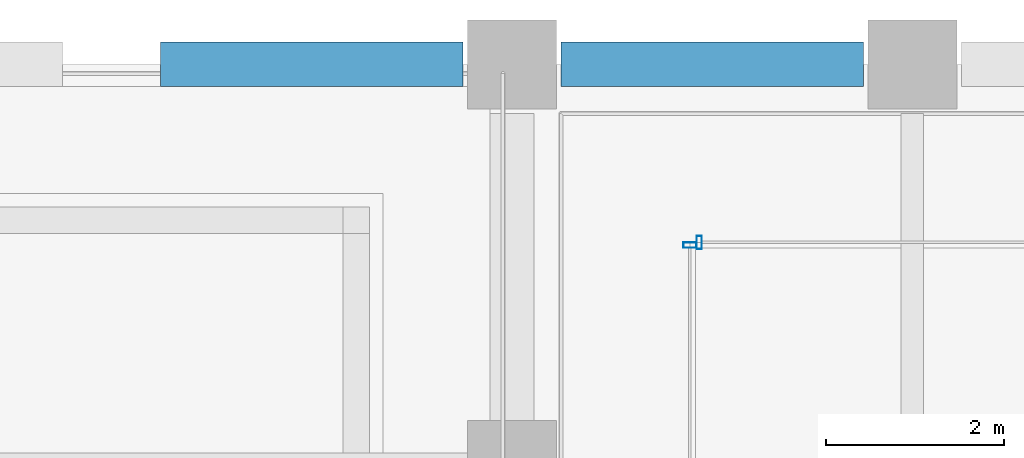
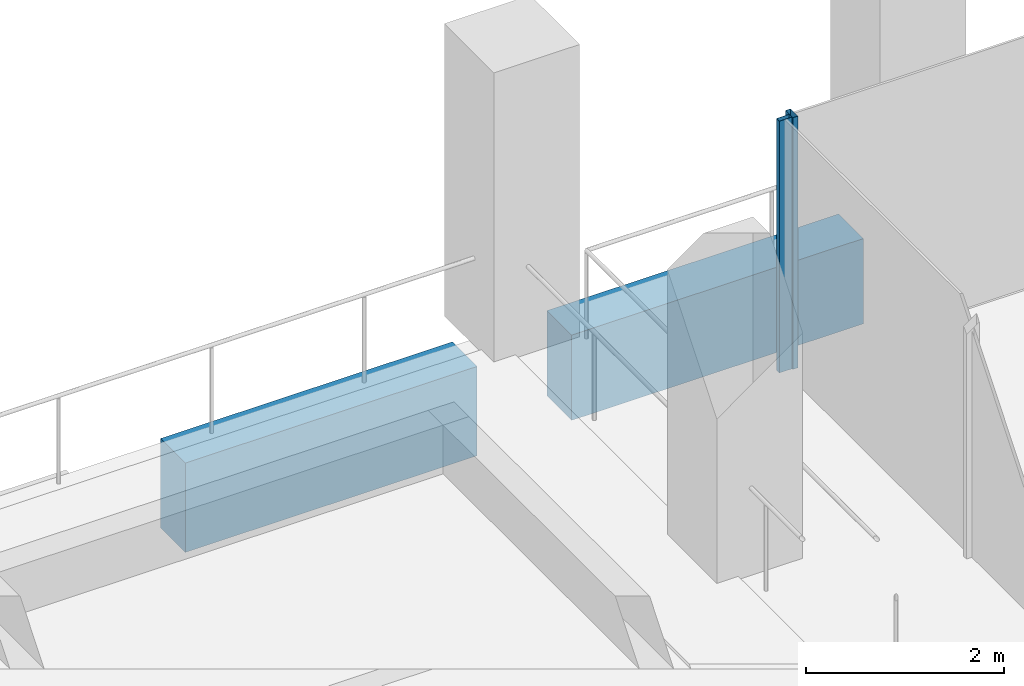
# One storey, part 23 of 52: 2 beams, 2 members, 2 elements without a shape of their own.
"""IFC4 building model written with IfcOpenShell, lengths in metres."""

import ifcopenshell
import ifcopenshell.guid

model = None  # the IFC model being written
_history = None  # IfcOwnerHistory: only IFC2X3 demands one
_inside = {}  # id of a spatial element -> (the spatial element, [elements in it])
_under = {}  # id of a project, library or spatial element -> (it, [spatial elements below it])
_declared = {}  # id of a project -> (the project, [libraries it declares])
_typed = {}  # id of a type object -> (the type object, [elements of that type])
_made_of = {}  # id of a material, layer set ... -> (it, [elements and type objects made of it])


def new_model(schema):
    """Start an empty IFC model of exactly this schema.

    Asked for "IFC4X3", IfcOpenShell would pick the latest addendum, in which some entities
    have other attributes; the version numbers below select the first issue.
    IFC2X3 requires an IfcOwnerHistory on every rooted entity: one is made here for all.
    """
    global model, _history
    if schema == "IFC4X3":
        model = ifcopenshell.file(schema_version=(4, 3, 0, 0))
    else:
        model = ifcopenshell.file(schema=schema)
    _inside.clear()
    _under.clear()
    _declared.clear()
    _typed.clear()
    _made_of.clear()
    _history = None
    if model.schema == "IFC2X3":
        org = make("IfcOrganization", Name="unknown")
        user = make(
            "IfcPersonAndOrganization",
            ThePerson=make("IfcPerson", FamilyName="unknown"),
            TheOrganization=org,
        )
        app = make(
            "IfcApplication",
            ApplicationDeveloper=org,
            Version="unknown",
            ApplicationFullName="unknown",
            ApplicationIdentifier="unknown",
        )
        _history = make(
            "IfcOwnerHistory",
            OwningUser=user,
            OwningApplication=app,
            ChangeAction="ADDED",
            CreationDate=0,
        )
    return model


def make(cls, **values):
    """One entity of the class cls with the attributes given. An attribute that is None is left unset."""
    return model.create_entity(
        cls, **{name: value for name, value in values.items() if value is not None}
    )


def rooted(cls, **values):
    """An entity with a GlobalId (a new one), such as an element, a storey or a relation."""
    return make(cls, GlobalId=ifcopenshell.guid.new(), OwnerHistory=_history, **values)


def si_unit(unit_type, name, prefix=None):
    """IfcSIUnit, for example si_unit("LENGTHUNIT", "METRE", prefix="MILLI")."""
    return make("IfcSIUnit", UnitType=unit_type, Prefix=prefix, Name=name)


def assignment(units):
    """IfcUnitAssignment: the units of a project."""
    return None if units is None else make("IfcUnitAssignment", Units=units)


def point(xyz):
    """IfcCartesianPoint."""
    return None if xyz is None else make("IfcCartesianPoint", Coordinates=xyz)


def direction(xyz):
    """IfcDirection."""
    return None if xyz is None else make("IfcDirection", DirectionRatios=xyz)


def frame(location, z_axis=None, x_axis=None):
    """IfcAxis2Placement3D, a coordinate frame: its origin and axes. An axis left out is left unset."""
    return make(
        "IfcAxis2Placement3D",
        Location=point(location),
        Axis=direction(z_axis),
        RefDirection=direction(x_axis),
    )


def frame_2d(location, x_axis=None):
    """IfcAxis2Placement2D, a coordinate frame in the plane: its origin and x axis."""
    return make(
        "IfcAxis2Placement2D", Location=point(location), RefDirection=direction(x_axis)
    )


def origin():
    """The frame at (0, 0, 0) with its axes left unset."""
    return frame((0.0, 0.0, 0.0))


def origin_2d():
    """The frame at (0, 0) in the plane with its x axis left unset."""
    return frame_2d((0.0, 0.0))


def place(relative_to, where):
    """IfcLocalPlacement: puts the frame where relative to a parent placement (None: the world)."""
    return make(
        "IfcLocalPlacement", PlacementRelTo=relative_to, RelativePlacement=where
    )


def context(
    kind, dimensions, precision=None, world=None, true_north=None, identifier=None
):
    """IfcGeometricRepresentationContext, for example the 3D "Model" context."""
    return make(
        "IfcGeometricRepresentationContext",
        ContextIdentifier=identifier,
        ContextType=kind,
        CoordinateSpaceDimension=dimensions,
        Precision=precision,
        WorldCoordinateSystem=world,
        TrueNorth=true_north,
    )


def subcontext(parent, identifier, kind, view, scale=None):
    """IfcGeometricRepresentationSubContext, for example "Body" below "Model"."""
    return make(
        "IfcGeometricRepresentationSubContext",
        ContextIdentifier=identifier,
        ContextType=kind,
        ParentContext=parent,
        TargetScale=scale,
        TargetView=view,
    )


def project(units=None, contexts=None):
    """IfcProject with its units and contexts."""
    return rooted(
        "IfcProject",
        Name="project",
        RepresentationContexts=contexts,
        UnitsInContext=assignment(units),
    )


def spatial(cls, under=None, at=None, **own):
    """A site, building, storey or space (cls), placed at a placement, below another one or the project."""
    s = rooted(cls, ObjectPlacement=at, **own)
    if under is not None:
        _under.setdefault(under.id(), (under, []))[1].append(s)
    return s


def profile(cls, at=None, kind="AREA", **sizes):
    """A parametric profile (cls). Its sizes go by their IFC names, for example OverallWidth=200.0."""
    return make(cls, ProfileType=kind, Position=at, **sizes)


def rectangle(**sizes):
    """IfcRectangleProfileDef."""
    return profile("IfcRectangleProfileDef", **sizes)


def hollow_rectangle(**sizes):
    """IfcRectangleHollowProfileDef."""
    return profile("IfcRectangleHollowProfileDef", **sizes)


def extrude(swept, where, along, depth):
    """IfcExtrudedAreaSolid: the profile swept, set in the frame where, extruded along a direction by depth."""
    return make(
        "IfcExtrudedAreaSolid",
        SweptArea=swept,
        Position=where,
        ExtrudedDirection=direction(along),
        Depth=depth,
    )


def shape(context_of_items, identifier, shape_type, items):
    """IfcShapeRepresentation: the items that make up one representation, for example the "Body"."""
    return make(
        "IfcShapeRepresentation",
        ContextOfItems=context_of_items,
        RepresentationIdentifier=identifier,
        RepresentationType=shape_type,
        Items=items,
    )


def material(Name=None, Category=None):
    """IfcMaterial."""
    return make("IfcMaterial", Name=Name, Category=Category)


def material_profile(
    of_material, cross_section, Name=None, Category=None, Priority=None
):
    """IfcMaterialProfile: a cross section and its material."""
    return make(
        "IfcMaterialProfile",
        Name=Name,
        Material=of_material,
        Profile=cross_section,
        Priority=Priority,
        Category=Category,
    )


def profile_set(profiles, Name=None, composite=None):
    """IfcMaterialProfileSet."""
    return make(
        "IfcMaterialProfileSet",
        Name=Name,
        MaterialProfiles=profiles,
        CompositeProfile=composite,
    )


def made_of(thing, what):
    """Note that an element or type object is made of a material, layer set ...; save() writes the relation."""
    if what is not None:
        _made_of.setdefault(what.id(), (what, []))[1].append(thing)
    return thing


def type_object(cls, material=None, **own):
    """A type object (cls), such as IfcWallType, which elements share."""
    return made_of(rooted(cls, **own), material)


def element(
    cls,
    number,
    at=None,
    inside=None,
    cuts=None,
    type_object=None,
    material=None,
    context=None,
    identifier="Body",
    shape_type=None,
    held_by="IfcProductDefinitionShape",
    body=None,
    shapes=None,
    **own,
):
    """One element of the class cls, such as IfcWall. Its Tag is "e" and its number.

    at: its placement. inside: the storey or other place that contains it. cuts: it is an
    opening in that element (IfcRelVoidsElement). A single representation is given by context,
    identifier, shape_type and body (its items); several are given by shapes. held_by: the class
    of the entity that holds the representations. save() writes the other relations.
    """
    e = rooted(cls, Tag="e%d" % number, ObjectPlacement=at, **own)
    if body is not None:
        shapes = [shape(context, identifier, shape_type, body)]
    if shapes is not None:
        e.Representation = make(held_by, Representations=shapes)
    if inside is not None:
        _inside.setdefault(inside.id(), (inside, []))[1].append(e)
    if cuts is not None:
        rooted(
            "IfcRelVoidsElement", RelatingBuildingElement=cuts, RelatedOpeningElement=e
        )
    if type_object is not None:
        _typed.setdefault(type_object.id(), (type_object, []))[1].append(e)
    return made_of(e, material)


def aggregate(whole, parts):
    """IfcRelAggregates: a whole, such as a stair, and the parts it consists of."""
    return rooted("IfcRelAggregates", RelatingObject=whole, RelatedObjects=parts)


def save(model, path):
    """Write the relations noted so far, then the file.

    IfcRelAggregates (storeys below a building ...), IfcRelContainedInSpatialStructure (elements
    in a storey), IfcRelDefinesByType, IfcRelAssociatesMaterial and IfcRelDeclares: one each for
    every whole, place, type object, material and project.
    """
    for whole, parts in _under.values():
        aggregate(whole, parts)
    for where, things in _inside.values():
        rooted(
            "IfcRelContainedInSpatialStructure",
            RelatedElements=things,
            RelatingStructure=where,
        )
    for kind, things in _typed.values():
        rooted("IfcRelDefinesByType", RelatedObjects=things, RelatingType=kind)
    for what, things in _made_of.values():
        rooted("IfcRelAssociatesMaterial", RelatedObjects=things, RelatingMaterial=what)
    for by, libraries in _declared.values():
        rooted("IfcRelDeclares", RelatingContext=by, RelatedDefinitions=libraries)
    model.write(path)


model = new_model("IFC4")

# Units and contexts
model_context = context("Model", 3, precision=1e-05, world=origin(), true_north=direction((0.0, 1.0)))
body_context = subcontext(model_context, "Body", "Model", "MODEL_VIEW")
ifc_project = project(units=[si_unit("LENGTHUNIT", "METRE"), si_unit("AREAUNIT", "SQUARE_METRE"), si_unit("VOLUMEUNIT", "CUBIC_METRE"), si_unit("PLANEANGLEUNIT", "RADIAN"), si_unit("MASSUNIT", "GRAM", prefix="KILO")], contexts=[model_context])

# Site, building, storey
site_placement = place(None, origin())
site = spatial("IfcSite", under=ifc_project, at=site_placement, CompositionType="ELEMENT")
building_placement = place(site_placement, origin())
building = spatial("IfcBuilding", under=site, at=building_placement, Name="Altepetl Exchange Towers", CompositionType="ELEMENT")
storey_placement = place(building_placement, frame((0.0, 0.0, 92.0)))
storey = spatial("IfcBuildingStorey", under=building, at=storey_placement, Name="L22", CompositionType="ELEMENT", Elevation=92.0)

# Curtain wall, member
ifc_material_1 = material(Name="Aluminium 6063-T6 glazing", Category="aluminium")
curtain_wall_type = type_object("IfcCurtainWallType", Name="Loggia glazing system", PredefinedType="NOTDEFINED", material=ifc_material_1)
curtain_wall_1_placement = place(storey_placement, origin())
curtain_wall_1 = element("IfcCurtainWall", 1, at=curtain_wall_1_placement, inside=storey, type_object=curtain_wall_type, Name="CW1 run", PredefinedType="NOTDEFINED")
ifc_material_2 = material(Name="Aluminium 6063-T6", Category="aluminium")
ifc_material_profile_1 = material_profile(ifc_material_2, hollow_rectangle(XDim=0.06005859375, YDim=0.14990234375, WallThickness=0.0029296875, at=origin_2d()), Name="Mullion 60x150 aluminium")
ifc_profile_set_1 = profile_set([ifc_material_profile_1], Name="Aluminium 6063-T6")
member_type = type_object("IfcMemberType", Name="Mullion 60x150 aluminium", PredefinedType="MULLION", material=ifc_profile_set_1)
member_1_placement = place(storey_placement, frame((42.60498046875, 70.0, 0.0), z_axis=(0.0, 0.0, 1.0), x_axis=(-1.0, 0.0, 0.0)))
member_1 = element("IfcMember", 2, at=member_1_placement, type_object=member_type, Name="MU1 mullion", PredefinedType="MULLION", context=body_context, shape_type="SweptSolid", body=[
    extrude(hollow_rectangle(XDim=0.06005859375, YDim=0.14990234375, WallThickness=0.0029296875, at=origin_2d()), origin(), (0.0, 0.0, 1.0), 3.10009765625),
])
aggregate(curtain_wall_1, [member_1])

curtain_wall_2_placement = place(storey_placement, origin())
curtain_wall_2 = element("IfcCurtainWall", 3, at=curtain_wall_2_placement, inside=storey, type_object=curtain_wall_type, Name="CW1 run", PredefinedType="NOTDEFINED")
member_2_placement = place(storey_placement, frame((42.5, 69.969970703125, 0.0), z_axis=(0.0, 0.0, 1.0), x_axis=(0.0, -1.0, 0.0)))
member_2 = element("IfcMember", 4, at=member_2_placement, type_object=member_type, Name="MU1 mullion", PredefinedType="MULLION", context=body_context, shape_type="SweptSolid", body=[
    extrude(hollow_rectangle(XDim=0.06005859375, YDim=0.14990234375, WallThickness=0.0029296875, at=origin_2d()), origin(), (0.0, 0.0, 1.0), 3.10009765625),
])
aggregate(curtain_wall_2, [member_2])

# Beams
ifc_material_3 = material(Name="Concrete C50/60 precast with cantera rosa facing", Category="concrete")
ifc_material_profile_2 = material_profile(ifc_material_3, rectangle(XDim=0.5, YDim=1.050048828125, at=origin_2d()), Name="500 x 1050")
ifc_profile_set_2 = profile_set([ifc_material_profile_2], Name="Concrete C50/60 precast with cantera rosa facing")
beam_type_1 = type_object("IfcBeamType", Name="Spandrel beam 500x1050 cantera rosa", PredefinedType="SPANDREL", material=ifc_profile_set_2)
beam_1_placement = place(storey_placement, frame((44.449951171875, 72.0, -0.675048828125), z_axis=(-1.0, 0.0, 0.0), x_axis=(0.0, -1.0, 0.0)))
element("IfcBeam", 5, at=beam_1_placement, inside=storey, type_object=beam_type_1, Name="sp:A:L22:029", PredefinedType="SPANDREL", context=body_context, shape_type="SweptSolid", body=[
    extrude(rectangle(XDim=0.5, YDim=1.050048828125, at=origin_2d()), origin(), (0.0, 0.0, 1.0), 3.39990234375),
])
ifc_material_4 = material(Name="Concrete C50/60 precast with tezontle facing", Category="concrete")
ifc_material_profile_3 = material_profile(ifc_material_4, rectangle(XDim=0.5, YDim=1.10009765625, at=origin_2d()), Name="500 x 1100")
ifc_profile_set_3 = profile_set([ifc_material_profile_3], Name="Concrete C50/60 precast with tezontle facing")
beam_type_2 = type_object("IfcBeamType", Name="Spandrel beam 500x1100 tezontle", PredefinedType="SPANDREL", material=ifc_profile_set_3)
beam_2_placement = place(storey_placement, frame((39.949951171875, 72.0, -0.699951171875), z_axis=(-1.0, 0.0, 0.0), x_axis=(0.0, -1.0, 0.0)))
element("IfcBeam", 6, at=beam_2_placement, inside=storey, type_object=beam_type_2, Name="sp:A:L22:t000", PredefinedType="SPANDREL", context=body_context, shape_type="SweptSolid", body=[
    extrude(rectangle(XDim=0.5, YDim=1.10009765625, at=origin_2d()), origin(), (0.0, 0.0, 1.0), 3.39990234375),
])

save(model, "model.ifc")
